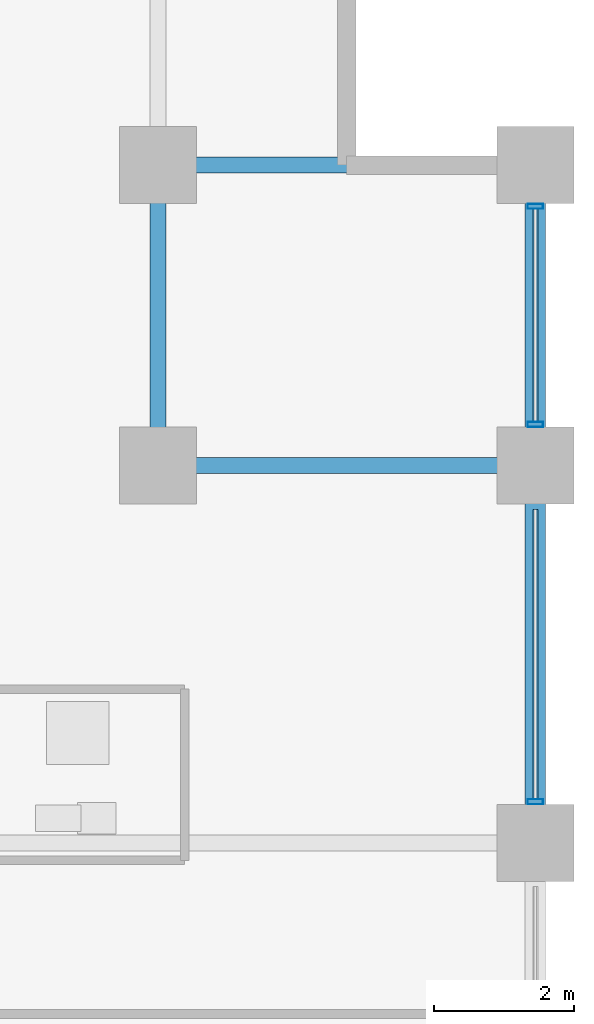
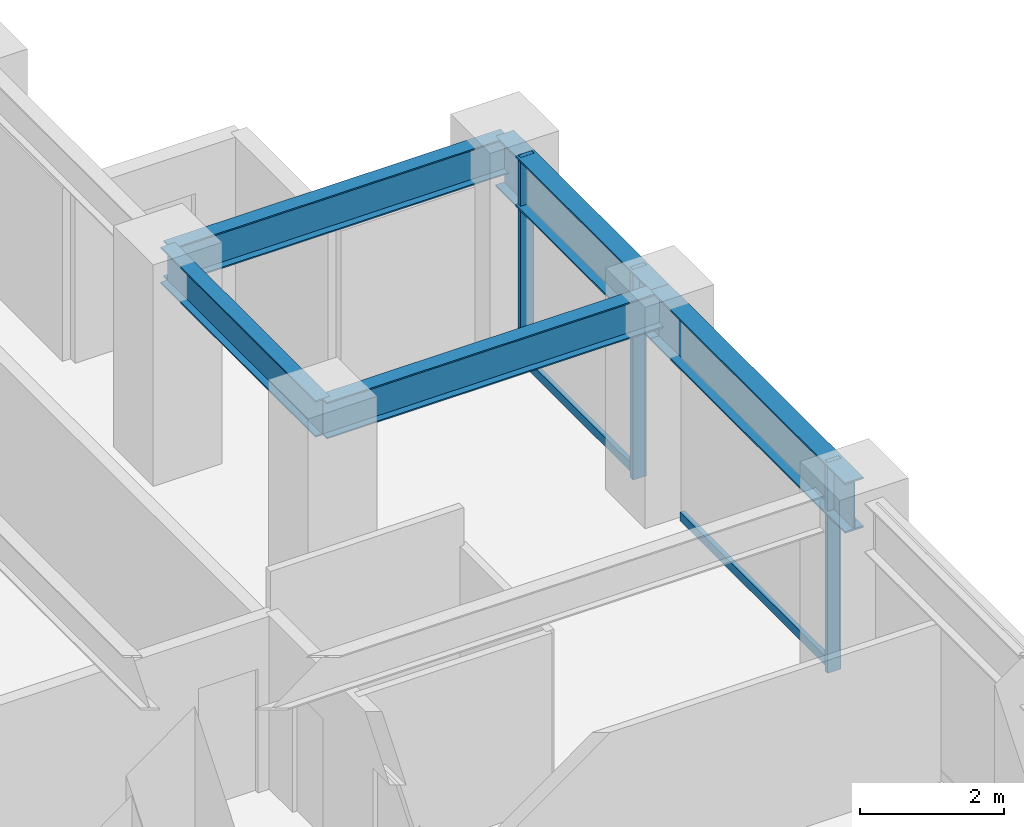
# One storey, part 15 of 25: 5 beams, 5 members, 1 element without a shape of its own.
"""IFC4 building model written with IfcOpenShell, lengths in metres."""

from ifc_helpers import new_model, si_unit, direction, frame, origin, origin_2d, place, context, subcontext, project, spatial, hollow_rectangle, i_section, extrude, material, layer, layer_set, material_profile, profile_set, type_object, element, aggregate, save


model = new_model("IFC4")

# Units and contexts
model_context = context("Model", 3, precision=1e-05, world=origin(), true_north=direction((0.0, 1.0)))
body_context = subcontext(model_context, "Body", "Model", "MODEL_VIEW")
ifc_project = project(units=[si_unit("LENGTHUNIT", "METRE"), si_unit("AREAUNIT", "SQUARE_METRE"), si_unit("VOLUMEUNIT", "CUBIC_METRE"), si_unit("PLANEANGLEUNIT", "RADIAN"), si_unit("MASSUNIT", "GRAM", prefix="KILO")], contexts=[model_context])

# Site, building, storey
site_placement = place(None, origin())
site = spatial("IfcSite", under=ifc_project, at=site_placement, CompositionType="ELEMENT")
building_placement = place(site_placement, origin())
building = spatial("IfcBuilding", under=site, at=building_placement, Name="Surkhivell Harbour Commons", CompositionType="ELEMENT")
storey_placement = place(building_placement, frame((0.0, 0.0, 120.75)))
storey = spatial("IfcBuildingStorey", under=building, at=storey_placement, Name="L31", CompositionType="ELEMENT", Elevation=120.75)

# Beams
ifc_material_1 = material(Name="Steel S355", Category="steel")
ifc_material_profile_1 = material_profile(ifc_material_1, i_section(OverallWidth=0.22998046875, OverallDepth=0.616943359375, WebThickness=0.01318359375, FlangeThickness=0.022216796875, at=origin_2d()), Name="UB610x229x140")
ifc_profile_set_1 = profile_set([ifc_material_profile_1], Name="Steel S355")
beam_type_1 = type_object("IfcBeamType", Name="BM-GRD-610B", PredefinedType="BEAM", material=ifc_profile_set_1)
beam_1_placement = place(storey_placement, frame((16.199951171875, 16.199951171875, 3.261474609375), z_axis=(0.0, 1.0, 0.0), x_axis=(-1.0, 0.0, 0.0)))
element("IfcBeam", 1, at=beam_1_placement, inside=storey, type_object=beam_type_1, Name="L31 Floor Girder (16.2,16.2)", PredefinedType="BEAM", context=body_context, shape_type="SweptSolid", body=[
    extrude(i_section(OverallWidth=0.22998046875, OverallDepth=0.616943359375, WebThickness=0.01318359375, FlangeThickness=0.022216796875, at=origin_2d()), origin(), (0.0, 0.0, 1.0), 4.300048828125),
])
for number, where, z_axis, x_axis, name in (
    (2, (16.199951171875, 16.199951171875, 3.261474609375), (1.0, 0.0, 0.0), (0.0, 1.0, 0.0), "L31 Floor Girder (16.2,16.2)"),
    (3, (16.199951171875, 20.5, 3.261474609375), (1.0, 0.0, 0.0), (0.0, 1.0, 0.0), "L31 Floor Girder (16.2,20.5)"),
):
    element("IfcBeam", number, at=place(storey_placement, frame(where, z_axis=z_axis, x_axis=x_axis)), inside=storey, type_object=beam_type_1, Name=name, PredefinedType="BEAM", context=body_context, shape_type="SweptSolid", body=[
        extrude(i_section(OverallWidth=0.22998046875, OverallDepth=0.616943359375, WebThickness=0.01318359375, FlangeThickness=0.022216796875, at=origin_2d()), origin(), (0.0, 0.0, 1.0), 5.400146484375),
    ])
ifc_material_2 = material(Name="Steel S460", Category="steel")
ifc_material_profile_2 = material_profile(ifc_material_2, i_section(OverallWidth=0.2939453125, OverallDepth=0.85107421875, WebThickness=0.01611328125, FlangeThickness=0.02685546875, at=origin_2d()), Name="UB838x292x226")
ifc_profile_set_2 = profile_set([ifc_material_profile_2], Name="Steel S460")
beam_type_2 = type_object("IfcBeamType", Name="BM-SPN-838", PredefinedType="SPANDREL", material=ifc_profile_set_2)
beam_2_placement = place(storey_placement, frame((21.60009765625, 10.800048828125, 3.14453125), z_axis=(0.0, 1.0, 0.0), x_axis=(-1.0, 0.0, 0.0)))
element("IfcBeam", 4, at=beam_2_placement, inside=storey, type_object=beam_type_2, Name="L31 Tube Spandrel (21.6,10.8)", PredefinedType="SPANDREL", context=body_context, shape_type="SweptSolid", body=[
    extrude(i_section(OverallWidth=0.2939453125, OverallDepth=0.85107421875, WebThickness=0.01611328125, FlangeThickness=0.02685546875, at=origin_2d()), origin(), (0.0, 0.0, 1.0), 5.39990234375),
])
beam_3_placement = place(storey_placement, frame((21.60009765625, 16.199951171875, 3.14453125), z_axis=(0.0, 1.0, 0.0), x_axis=(-1.0, 0.0, 0.0)))
element("IfcBeam", 5, at=beam_3_placement, inside=storey, type_object=beam_type_2, Name="L31 Tube Spandrel (21.6,16.2)", PredefinedType="SPANDREL", context=body_context, shape_type="SweptSolid", body=[
    extrude(i_section(OverallWidth=0.2939453125, OverallDepth=0.85107421875, WebThickness=0.01611328125, FlangeThickness=0.02685546875, at=origin_2d()), origin(), (0.0, 0.0, 1.0), 4.300048828125),
])

# Curtain wall, members
ifc_material_3 = material(Name="Anodised pale-metal aluminium and insulated glazing", Category="aluminium")
ifc_layer = layer(ifc_material_3, 0.205078125)
ifc_layer_set = layer_set([ifc_layer], Name="Anodised pale-metal aluminium and insulated glazing")
curtain_wall_type = type_object("IfcCurtainWallType", Name="CW-SYS-Z2", PredefinedType="NOTDEFINED", material=ifc_layer_set)
curtain_wall_placement = place(storey_placement, origin())
curtain_wall = element("IfcCurtainWall", 6, at=curtain_wall_placement, inside=storey, type_object=curtain_wall_type, Name="L31 Curtain Wall CW-L31-E02", PredefinedType="NOTDEFINED")
ifc_material_4 = material(Name="Anodised pale-metal aluminium alloy 6063-T6", Category="aluminium")
ifc_material_profile_3 = material_profile(ifc_material_4, hollow_rectangle(XDim=0.074951171875, YDim=0.219970703125, WallThickness=0.00390625, at=origin_2d()), Name="ALU-MULL-75x220")
ifc_profile_set_3 = profile_set([ifc_material_profile_3], Name="Anodised pale-metal aluminium alloy 6063-T6")
member_type_1 = type_object("IfcMemberType", Name="CWM-220", PredefinedType="MULLION", material=ifc_profile_set_3)
member_1_placement = place(storey_placement, frame((21.60009765625, 11.389404296875, 0.0), z_axis=(0.0, 0.0, 1.0), x_axis=(0.0, 1.0, 0.0)))
member_1 = element("IfcMember", 7, at=member_1_placement, type_object=member_type_1, Name="CW-Z2 mullion 4", PredefinedType="MULLION", context=body_context, shape_type="SweptSolid", body=[
    extrude(hollow_rectangle(XDim=0.074951171875, YDim=0.219970703125, WallThickness=0.00390625, at=origin_2d()), origin(), (0.0, 0.0, 1.0), 3.570068359375),
])
member_2_placement = place(storey_placement, frame((21.60009765625, 16.78955078125, 0.0), z_axis=(0.0, 0.0, 1.0), x_axis=(0.0, 1.0, 0.0)))
member_2 = element("IfcMember", 8, at=member_2_placement, type_object=member_type_1, Name="CW-Z2 mullion 5", PredefinedType="MULLION", context=body_context, shape_type="SweptSolid", body=[
    extrude(hollow_rectangle(XDim=0.074951171875, YDim=0.219970703125, WallThickness=0.00390625, at=origin_2d()), origin(), (0.0, 0.0, 1.0), 3.570068359375),
])
member_3_placement = place(storey_placement, frame((21.60009765625, 19.910400390625, 0.0), z_axis=(0.0, 0.0, 1.0), x_axis=(0.0, 1.0, 0.0)))
member_3 = element("IfcMember", 9, at=member_3_placement, type_object=member_type_1, Name="CW-Z2 mullion 6", PredefinedType="MULLION", context=body_context, shape_type="SweptSolid", body=[
    extrude(hollow_rectangle(XDim=0.074951171875, YDim=0.219970703125, WallThickness=0.00390625, at=origin_2d()), origin(), (0.0, 0.0, 1.0), 3.570068359375),
])
ifc_material_profile_4 = material_profile(ifc_material_4, hollow_rectangle(XDim=0.074951171875, YDim=0.14990234375, WallThickness=0.00341796875, at=origin_2d()), Name="ALU-TRAN-75x150")
ifc_profile_set_4 = profile_set([ifc_material_profile_4], Name="Anodised pale-metal aluminium alloy 6063-T6")
member_type_2 = type_object("IfcMemberType", Name="CWT-150", PredefinedType="USERDEFINED", material=ifc_profile_set_4)
member_4_placement = place(storey_placement, frame((21.60009765625, 11.427001953125, 0.074951171875), z_axis=(0.0, 1.0, 0.0), x_axis=(-1.0, 0.0, 0.0)))
member_4 = element("IfcMember", 10, at=member_4_placement, type_object=member_type_2, Name="CW-Z2 transom 4.1", ObjectType="TRANSOM", PredefinedType="USERDEFINED", context=body_context, shape_type="SweptSolid", body=[
    extrude(hollow_rectangle(XDim=0.074951171875, YDim=0.14990234375, WallThickness=0.00341796875, at=origin_2d()), origin(), (0.0, 0.0, 1.0), 4.14599609375),
])
member_5_placement = place(storey_placement, frame((21.60009765625, 16.826904296875, 0.074951171875), z_axis=(0.0, 1.0, 0.0), x_axis=(-1.0, 0.0, 0.0)))
member_5 = element("IfcMember", 11, at=member_5_placement, type_object=member_type_2, Name="CW-Z2 transom 5.1", ObjectType="TRANSOM", PredefinedType="USERDEFINED", context=body_context, shape_type="SweptSolid", body=[
    extrude(hollow_rectangle(XDim=0.074951171875, YDim=0.14990234375, WallThickness=0.00341796875, at=origin_2d()), origin(), (0.0, 0.0, 1.0), 3.046142578125),
])
aggregate(curtain_wall, [member_1, member_4, member_2, member_3, member_5])

save(model, "model.ifc")
